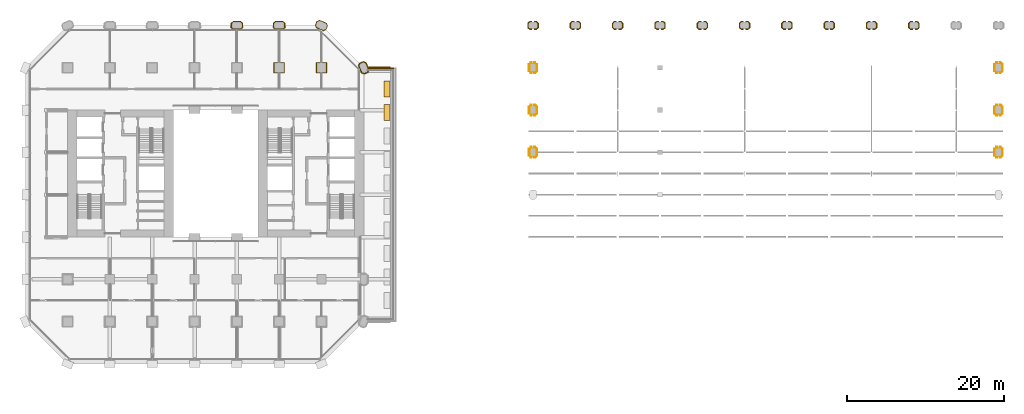
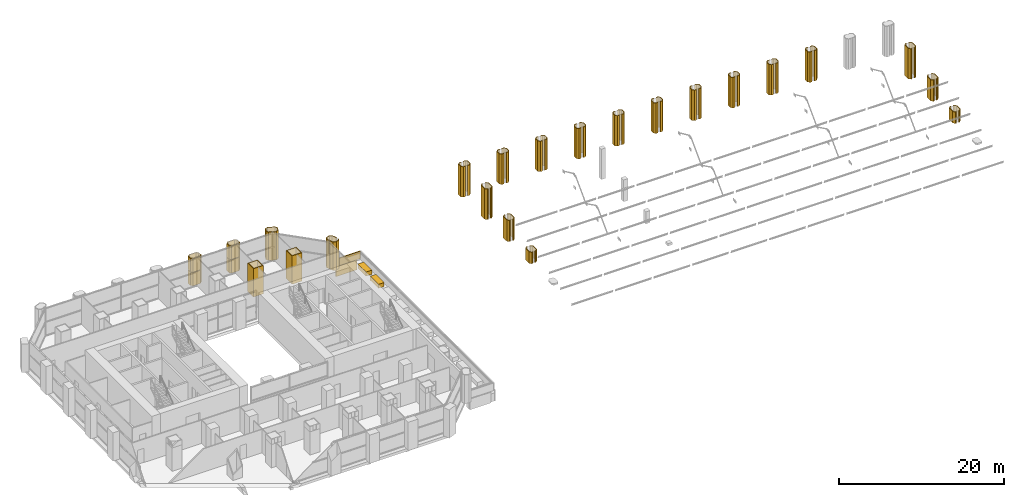
# One storey, part 22 of 23: 44 coverings.
"""IFC4 building model written with IfcOpenShell, lengths in metres."""

from ifc_helpers import new_model, si_unit, direction, frame, frame_2d, origin, origin_2d, place, context, subcontext, project, spatial, polyline, rectangle, outline, extrude, material, layer, layer_set, type_object, element, save


model = new_model("IFC4")

# Units and contexts
model_context = context("Model", 3, precision=1e-05, world=origin(), true_north=direction((0.0, 1.0)))
body_context = subcontext(model_context, "Body", "Model", "MODEL_VIEW")
ifc_project = project(units=[si_unit("LENGTHUNIT", "METRE"), si_unit("AREAUNIT", "SQUARE_METRE"), si_unit("VOLUMEUNIT", "CUBIC_METRE"), si_unit("PLANEANGLEUNIT", "RADIAN"), si_unit("MASSUNIT", "GRAM", prefix="KILO")], contexts=[model_context])

# Site, building, storey
site_placement = place(None, origin())
site = spatial("IfcSite", under=ifc_project, at=site_placement, CompositionType="ELEMENT")
building_placement = place(site_placement, origin())
building = spatial("IfcBuilding", under=site, at=building_placement, Name="Tabaq Tower and Sports Hall", CompositionType="ELEMENT")
storey_placement = place(building_placement, frame((0.0, 0.0, 29.10009765625)))
storey = spatial("IfcBuildingStorey", under=building, at=storey_placement, Name="L05", CompositionType="ELEMENT", Elevation=29.10009765625)

# Coverings
ifc_material_1 = material(Name="Precast concrete C60/75", Category="concrete")
ifc_layer_1 = layer(ifc_material_1, 0.10009765625)
ifc_layer_set_1 = layer_set([ifc_layer_1], Name="Column cladding 100")
covering_type_1 = type_object("IfcCoveringType", Name="Column cladding 100", PredefinedType="CLADDING", material=ifc_layer_set_1)
covering_1_placement = place(storey_placement, origin())
element("IfcCovering", 1, at=covering_1_placement, inside=storey, type_object=covering_type_1, Name="Column cladding L05 HC-13F", PredefinedType="CLADDING", context=body_context, shape_type="SweptSolid", body=[
    extrude(outline(polyline([(64.952880859375, 26.30029296875), (64.952880859375, 26.399658203125), (65.050048828125, 26.399658203125), (65.250244140625, 26.599853515625), (65.250244140625, 27.400146484375), (65.050048828125, 27.600341796875), (64.952880859375, 27.600341796875), (64.952880859375, 27.69970703125), (65.09130859375, 27.69970703125), (65.349609375, 27.44140625), (65.349609375, 26.55859375), (65.09130859375, 26.30029296875), (64.952880859375, 26.30029296875)])), origin(), (0.0, 0.0, 1.0), 1.69580078125),
])
covering_2_placement = place(storey_placement, origin())
element("IfcCovering", 2, at=covering_2_placement, inside=storey, type_object=covering_type_1, Name="Column cladding L05 HC-13F 2", PredefinedType="CLADDING", context=body_context, shape_type="SweptSolid", body=[
    extrude(outline(polyline([(64.5087890625, 26.30029296875), (64.250244140625, 26.55859375), (64.250244140625, 27.44140625), (64.5087890625, 27.69970703125), (64.64697265625, 27.69970703125), (64.64697265625, 27.600341796875), (64.5498046875, 27.600341796875), (64.349609375, 27.400146484375), (64.349609375, 26.599853515625), (64.5498046875, 26.399658203125), (64.64697265625, 26.399658203125), (64.64697265625, 26.30029296875), (64.5087890625, 26.30029296875)])), origin(), (0.0, 0.0, 1.0), 1.69580078125),
])
covering_3_placement = place(storey_placement, origin())
element("IfcCovering", 3, at=covering_3_placement, inside=storey, type_object=covering_type_1, Name="Column cladding L05 HC-13G", PredefinedType="CLADDING", context=body_context, shape_type="SweptSolid", body=[
    extrude(outline(polyline([(64.5087890625, 31.7001953125), (64.250244140625, 31.958740234375), (64.250244140625, 32.84130859375), (64.5087890625, 33.099609375), (64.64697265625, 33.099609375), (64.64697265625, 33.000244140625), (64.5498046875, 33.000244140625), (64.349609375, 32.800048828125), (64.349609375, 31.999755859375), (64.5498046875, 31.7998046875), (64.64697265625, 31.7998046875), (64.64697265625, 31.7001953125), (64.5087890625, 31.7001953125)])), origin(), (0.0, 0.0, 1.0), 3.142822265625),
])
covering_4_placement = place(storey_placement, origin())
element("IfcCovering", 4, at=covering_4_placement, inside=storey, type_object=covering_type_1, Name="Column cladding L05 HC-13G 2", PredefinedType="CLADDING", context=body_context, shape_type="SweptSolid", body=[
    extrude(outline(polyline([(64.952880859375, 31.7001953125), (64.952880859375, 31.7998046875), (65.050048828125, 31.7998046875), (65.250244140625, 31.999755859375), (65.250244140625, 32.800048828125), (65.050048828125, 33.000244140625), (64.952880859375, 33.000244140625), (64.952880859375, 33.099609375), (65.09130859375, 33.099609375), (65.349609375, 32.84130859375), (65.349609375, 31.958740234375), (65.09130859375, 31.7001953125), (64.952880859375, 31.7001953125)])), origin(), (0.0, 0.0, 1.0), 3.142822265625),
])
covering_5_placement = place(storey_placement, origin())
element("IfcCovering", 5, at=covering_5_placement, inside=storey, type_object=covering_type_1, Name="Column cladding L05 HC-13H", PredefinedType="CLADDING", context=body_context, shape_type="SweptSolid", body=[
    extrude(outline(polyline([(64.5087890625, 37.100341796875), (64.250244140625, 37.358642578125), (64.250244140625, 38.2412109375), (64.5087890625, 38.499755859375), (64.64697265625, 38.499755859375), (64.64697265625, 38.400390625), (64.5498046875, 38.400390625), (64.349609375, 38.2001953125), (64.349609375, 37.39990234375), (64.5498046875, 37.19970703125), (64.64697265625, 37.19970703125), (64.64697265625, 37.100341796875), (64.5087890625, 37.100341796875)])), origin(), (0.0, 0.0, 1.0), 4.5),
])
covering_6_placement = place(storey_placement, origin())
element("IfcCovering", 6, at=covering_6_placement, inside=storey, type_object=covering_type_1, Name="Column cladding L05 HC-13H 2", PredefinedType="CLADDING", context=body_context, shape_type="SweptSolid", body=[
    extrude(outline(polyline([(64.952880859375, 37.100341796875), (64.952880859375, 37.19970703125), (65.050048828125, 37.19970703125), (65.250244140625, 37.39990234375), (65.250244140625, 38.2001953125), (65.050048828125, 38.400390625), (64.952880859375, 38.400390625), (64.952880859375, 38.499755859375), (65.09130859375, 38.499755859375), (65.349609375, 38.2412109375), (65.349609375, 37.358642578125), (65.09130859375, 37.100341796875), (64.952880859375, 37.100341796875)])), origin(), (0.0, 0.0, 1.0), 4.5),
])
covering_7_placement = place(storey_placement, origin())
element("IfcCovering", 7, at=covering_7_placement, inside=storey, type_object=covering_type_1, Name="Column cladding L05 HC-13I", PredefinedType="CLADDING", context=body_context, shape_type="SweptSolid", body=[
    extrude(outline(polyline([(65.2412109375, 43.749755859375), (65.499755859375, 43.4912109375), (65.499755859375, 42.90869140625), (65.2412109375, 42.650390625), (64.952880859375, 42.650390625), (64.952880859375, 42.749755859375), (65.2001953125, 42.749755859375), (65.400390625, 42.949951171875), (65.400390625, 43.4501953125), (65.2001953125, 43.650390625), (64.952880859375, 43.650390625), (64.952880859375, 43.749755859375), (65.2412109375, 43.749755859375)])), origin(), (0.0, 0.0, 1.0), 4.5),
])
covering_8_placement = place(storey_placement, origin())
element("IfcCovering", 8, at=covering_8_placement, inside=storey, type_object=covering_type_1, Name="Column cladding L05 HC-13I 2", PredefinedType="CLADDING", context=body_context, shape_type="SweptSolid", body=[
    extrude(outline(polyline([(64.100341796875, 43.4912109375), (64.358642578125, 43.749755859375), (64.64697265625, 43.749755859375), (64.64697265625, 43.650390625), (64.39990234375, 43.650390625), (64.19970703125, 43.4501953125), (64.19970703125, 42.949951171875), (64.39990234375, 42.749755859375), (64.64697265625, 42.749755859375), (64.64697265625, 42.650390625), (64.358642578125, 42.650390625), (64.100341796875, 42.90869140625), (64.100341796875, 43.4912109375)])), origin(), (0.0, 0.0, 1.0), 4.5),
])
covering_9_placement = place(storey_placement, origin())
element("IfcCovering", 9, at=covering_9_placement, inside=storey, type_object=covering_type_1, Name="Column cladding L05 HC-14I", PredefinedType="CLADDING", context=body_context, shape_type="SweptSolid", body=[
    extrude(outline(polyline([(70.641357421875, 43.749755859375), (70.899658203125, 43.4912109375), (70.899658203125, 42.90869140625), (70.641357421875, 42.650390625), (70.35302734375, 42.650390625), (70.35302734375, 42.749755859375), (70.60009765625, 42.749755859375), (70.80029296875, 42.949951171875), (70.80029296875, 43.4501953125), (70.60009765625, 43.650390625), (70.35302734375, 43.650390625), (70.35302734375, 43.749755859375), (70.641357421875, 43.749755859375)])), origin(), (0.0, 0.0, 1.0), 4.5),
])
covering_10_placement = place(storey_placement, origin())
element("IfcCovering", 10, at=covering_10_placement, inside=storey, type_object=covering_type_1, Name="Column cladding L05 HC-14I 2", PredefinedType="CLADDING", context=body_context, shape_type="SweptSolid", body=[
    extrude(outline(polyline([(69.500244140625, 43.4912109375), (69.7587890625, 43.749755859375), (70.047119140625, 43.749755859375), (70.047119140625, 43.650390625), (69.7998046875, 43.650390625), (69.599609375, 43.4501953125), (69.599609375, 42.949951171875), (69.7998046875, 42.749755859375), (70.047119140625, 42.749755859375), (70.047119140625, 42.650390625), (69.7587890625, 42.650390625), (69.500244140625, 42.90869140625), (69.500244140625, 43.4912109375)])), origin(), (0.0, 0.0, 1.0), 4.5),
])
covering_11_placement = place(storey_placement, origin())
element("IfcCovering", 11, at=covering_11_placement, inside=storey, type_object=covering_type_1, Name="Column cladding L05 HC-15I", PredefinedType="CLADDING", context=body_context, shape_type="SweptSolid", body=[
    extrude(outline(polyline([(76.041259765625, 43.749755859375), (76.2998046875, 43.4912109375), (76.2998046875, 42.90869140625), (76.041259765625, 42.650390625), (75.7529296875, 42.650390625), (75.7529296875, 42.749755859375), (76.000244140625, 42.749755859375), (76.2001953125, 42.949951171875), (76.2001953125, 43.4501953125), (76.000244140625, 43.650390625), (75.7529296875, 43.650390625), (75.7529296875, 43.749755859375), (76.041259765625, 43.749755859375)])), origin(), (0.0, 0.0, 1.0), 4.5),
])
covering_12_placement = place(storey_placement, origin())
element("IfcCovering", 12, at=covering_12_placement, inside=storey, type_object=covering_type_1, Name="Column cladding L05 HC-15I 2", PredefinedType="CLADDING", context=body_context, shape_type="SweptSolid", body=[
    extrude(outline(polyline([(74.900390625, 43.4912109375), (75.15869140625, 43.749755859375), (75.447021484375, 43.749755859375), (75.447021484375, 43.650390625), (75.199951171875, 43.650390625), (74.999755859375, 43.4501953125), (74.999755859375, 42.949951171875), (75.199951171875, 42.749755859375), (75.447021484375, 42.749755859375), (75.447021484375, 42.650390625), (75.15869140625, 42.650390625), (74.900390625, 42.90869140625), (74.900390625, 43.4912109375)])), origin(), (0.0, 0.0, 1.0), 4.5),
])
covering_13_placement = place(storey_placement, origin())
element("IfcCovering", 13, at=covering_13_placement, inside=storey, type_object=covering_type_1, Name="Column cladding L05 HC-16I", PredefinedType="CLADDING", context=body_context, shape_type="SweptSolid", body=[
    extrude(outline(polyline([(81.44140625, 43.749755859375), (81.69970703125, 43.4912109375), (81.69970703125, 42.90869140625), (81.44140625, 42.650390625), (81.153076171875, 42.650390625), (81.153076171875, 42.749755859375), (81.400146484375, 42.749755859375), (81.600341796875, 42.949951171875), (81.600341796875, 43.4501953125), (81.400146484375, 43.650390625), (81.153076171875, 43.650390625), (81.153076171875, 43.749755859375), (81.44140625, 43.749755859375)])), origin(), (0.0, 0.0, 1.0), 4.5),
])
covering_14_placement = place(storey_placement, origin())
element("IfcCovering", 14, at=covering_14_placement, inside=storey, type_object=covering_type_1, Name="Column cladding L05 HC-16I 2", PredefinedType="CLADDING", context=body_context, shape_type="SweptSolid", body=[
    extrude(outline(polyline([(80.30029296875, 43.4912109375), (80.55859375, 43.749755859375), (80.846923828125, 43.749755859375), (80.846923828125, 43.650390625), (80.599853515625, 43.650390625), (80.399658203125, 43.4501953125), (80.399658203125, 42.949951171875), (80.599853515625, 42.749755859375), (80.846923828125, 42.749755859375), (80.846923828125, 42.650390625), (80.55859375, 42.650390625), (80.30029296875, 42.90869140625), (80.30029296875, 43.4912109375)])), origin(), (0.0, 0.0, 1.0), 4.5),
])
covering_15_placement = place(storey_placement, origin())
element("IfcCovering", 15, at=covering_15_placement, inside=storey, type_object=covering_type_1, Name="Column cladding L05 HC-17I", PredefinedType="CLADDING", context=body_context, shape_type="SweptSolid", body=[
    extrude(outline(polyline([(86.84130859375, 43.749755859375), (87.099609375, 43.4912109375), (87.099609375, 42.90869140625), (86.84130859375, 42.650390625), (86.552978515625, 42.650390625), (86.552978515625, 42.749755859375), (86.800048828125, 42.749755859375), (87.000244140625, 42.949951171875), (87.000244140625, 43.4501953125), (86.800048828125, 43.650390625), (86.552978515625, 43.650390625), (86.552978515625, 43.749755859375), (86.84130859375, 43.749755859375)])), origin(), (0.0, 0.0, 1.0), 4.5),
])
covering_16_placement = place(storey_placement, origin())
element("IfcCovering", 16, at=covering_16_placement, inside=storey, type_object=covering_type_1, Name="Column cladding L05 HC-17I 2", PredefinedType="CLADDING", context=body_context, shape_type="SweptSolid", body=[
    extrude(outline(polyline([(85.7001953125, 43.4912109375), (85.958740234375, 43.749755859375), (86.2470703125, 43.749755859375), (86.2470703125, 43.650390625), (85.999755859375, 43.650390625), (85.7998046875, 43.4501953125), (85.7998046875, 42.949951171875), (85.999755859375, 42.749755859375), (86.2470703125, 42.749755859375), (86.2470703125, 42.650390625), (85.958740234375, 42.650390625), (85.7001953125, 42.90869140625), (85.7001953125, 43.4912109375)])), origin(), (0.0, 0.0, 1.0), 4.5),
])
covering_17_placement = place(storey_placement, origin())
element("IfcCovering", 17, at=covering_17_placement, inside=storey, type_object=covering_type_1, Name="Column cladding L05 HC-18I", PredefinedType="CLADDING", context=body_context, shape_type="SweptSolid", body=[
    extrude(outline(polyline([(92.2412109375, 43.749755859375), (92.499755859375, 43.4912109375), (92.499755859375, 42.90869140625), (92.2412109375, 42.650390625), (91.952880859375, 42.650390625), (91.952880859375, 42.749755859375), (92.2001953125, 42.749755859375), (92.400390625, 42.949951171875), (92.400390625, 43.4501953125), (92.2001953125, 43.650390625), (91.952880859375, 43.650390625), (91.952880859375, 43.749755859375), (92.2412109375, 43.749755859375)])), origin(), (0.0, 0.0, 1.0), 4.5),
])
covering_18_placement = place(storey_placement, origin())
element("IfcCovering", 18, at=covering_18_placement, inside=storey, type_object=covering_type_1, Name="Column cladding L05 HC-18I 2", PredefinedType="CLADDING", context=body_context, shape_type="SweptSolid", body=[
    extrude(outline(polyline([(91.100341796875, 43.4912109375), (91.358642578125, 43.749755859375), (91.64697265625, 43.749755859375), (91.64697265625, 43.650390625), (91.39990234375, 43.650390625), (91.19970703125, 43.4501953125), (91.19970703125, 42.949951171875), (91.39990234375, 42.749755859375), (91.64697265625, 42.749755859375), (91.64697265625, 42.650390625), (91.358642578125, 42.650390625), (91.100341796875, 42.90869140625), (91.100341796875, 43.4912109375)])), origin(), (0.0, 0.0, 1.0), 4.5),
])
covering_19_placement = place(storey_placement, origin())
element("IfcCovering", 19, at=covering_19_placement, inside=storey, type_object=covering_type_1, Name="Column cladding L05 HC-19I", PredefinedType="CLADDING", context=body_context, shape_type="SweptSolid", body=[
    extrude(outline(polyline([(97.641357421875, 43.749755859375), (97.899658203125, 43.4912109375), (97.899658203125, 42.90869140625), (97.641357421875, 42.650390625), (97.35302734375, 42.650390625), (97.35302734375, 42.749755859375), (97.60009765625, 42.749755859375), (97.80029296875, 42.949951171875), (97.80029296875, 43.4501953125), (97.60009765625, 43.650390625), (97.35302734375, 43.650390625), (97.35302734375, 43.749755859375), (97.641357421875, 43.749755859375)])), origin(), (0.0, 0.0, 1.0), 4.5),
])
covering_20_placement = place(storey_placement, origin())
element("IfcCovering", 20, at=covering_20_placement, inside=storey, type_object=covering_type_1, Name="Column cladding L05 HC-19I 2", PredefinedType="CLADDING", context=body_context, shape_type="SweptSolid", body=[
    extrude(outline(polyline([(96.500244140625, 43.4912109375), (96.7587890625, 43.749755859375), (97.047119140625, 43.749755859375), (97.047119140625, 43.650390625), (96.7998046875, 43.650390625), (96.599609375, 43.4501953125), (96.599609375, 42.949951171875), (96.7998046875, 42.749755859375), (97.047119140625, 42.749755859375), (97.047119140625, 42.650390625), (96.7587890625, 42.650390625), (96.500244140625, 42.90869140625), (96.500244140625, 43.4912109375)])), origin(), (0.0, 0.0, 1.0), 4.5),
])
covering_21_placement = place(storey_placement, origin())
element("IfcCovering", 21, at=covering_21_placement, inside=storey, type_object=covering_type_1, Name="Column cladding L05 HC-20I", PredefinedType="CLADDING", context=body_context, shape_type="SweptSolid", body=[
    extrude(outline(polyline([(103.041259765625, 43.749755859375), (103.2998046875, 43.4912109375), (103.2998046875, 42.90869140625), (103.041259765625, 42.650390625), (102.7529296875, 42.650390625), (102.7529296875, 42.749755859375), (103.000244140625, 42.749755859375), (103.2001953125, 42.949951171875), (103.2001953125, 43.4501953125), (103.000244140625, 43.650390625), (102.7529296875, 43.650390625), (102.7529296875, 43.749755859375), (103.041259765625, 43.749755859375)])), origin(), (0.0, 0.0, 1.0), 4.5),
])
covering_22_placement = place(storey_placement, origin())
element("IfcCovering", 22, at=covering_22_placement, inside=storey, type_object=covering_type_1, Name="Column cladding L05 HC-20I 2", PredefinedType="CLADDING", context=body_context, shape_type="SweptSolid", body=[
    extrude(outline(polyline([(101.900390625, 43.4912109375), (102.15869140625, 43.749755859375), (102.447021484375, 43.749755859375), (102.447021484375, 43.650390625), (102.199951171875, 43.650390625), (101.999755859375, 43.4501953125), (101.999755859375, 42.949951171875), (102.199951171875, 42.749755859375), (102.447021484375, 42.749755859375), (102.447021484375, 42.650390625), (102.15869140625, 42.650390625), (101.900390625, 42.90869140625), (101.900390625, 43.4912109375)])), origin(), (0.0, 0.0, 1.0), 4.5),
])
covering_23_placement = place(storey_placement, origin())
element("IfcCovering", 23, at=covering_23_placement, inside=storey, type_object=covering_type_1, Name="Column cladding L05 HC-21I", PredefinedType="CLADDING", context=body_context, shape_type="SweptSolid", body=[
    extrude(outline(polyline([(108.44140625, 43.749755859375), (108.69970703125, 43.4912109375), (108.69970703125, 42.90869140625), (108.44140625, 42.650390625), (108.153076171875, 42.650390625), (108.153076171875, 42.749755859375), (108.400146484375, 42.749755859375), (108.600341796875, 42.949951171875), (108.600341796875, 43.4501953125), (108.400146484375, 43.650390625), (108.153076171875, 43.650390625), (108.153076171875, 43.749755859375), (108.44140625, 43.749755859375)])), origin(), (0.0, 0.0, 1.0), 4.5),
])
covering_24_placement = place(storey_placement, origin())
element("IfcCovering", 24, at=covering_24_placement, inside=storey, type_object=covering_type_1, Name="Column cladding L05 HC-21I 2", PredefinedType="CLADDING", context=body_context, shape_type="SweptSolid", body=[
    extrude(outline(polyline([(107.30029296875, 43.4912109375), (107.55859375, 43.749755859375), (107.846923828125, 43.749755859375), (107.846923828125, 43.650390625), (107.599853515625, 43.650390625), (107.399658203125, 43.4501953125), (107.399658203125, 42.949951171875), (107.599853515625, 42.749755859375), (107.846923828125, 42.749755859375), (107.846923828125, 42.650390625), (107.55859375, 42.650390625), (107.30029296875, 42.90869140625), (107.30029296875, 43.4912109375)])), origin(), (0.0, 0.0, 1.0), 4.5),
])
covering_25_placement = place(storey_placement, origin())
element("IfcCovering", 25, at=covering_25_placement, inside=storey, type_object=covering_type_1, Name="Column cladding L05 HC-22I", PredefinedType="CLADDING", context=body_context, shape_type="SweptSolid", body=[
    extrude(outline(polyline([(113.84130859375, 43.749755859375), (114.099609375, 43.4912109375), (114.099609375, 42.90869140625), (113.84130859375, 42.650390625), (113.552978515625, 42.650390625), (113.552978515625, 42.749755859375), (113.800048828125, 42.749755859375), (114.000244140625, 42.949951171875), (114.000244140625, 43.4501953125), (113.800048828125, 43.650390625), (113.552978515625, 43.650390625), (113.552978515625, 43.749755859375), (113.84130859375, 43.749755859375)])), origin(), (0.0, 0.0, 1.0), 4.5),
])
covering_26_placement = place(storey_placement, origin())
element("IfcCovering", 26, at=covering_26_placement, inside=storey, type_object=covering_type_1, Name="Column cladding L05 HC-22I 2", PredefinedType="CLADDING", context=body_context, shape_type="SweptSolid", body=[
    extrude(outline(polyline([(112.7001953125, 43.4912109375), (112.958740234375, 43.749755859375), (113.2470703125, 43.749755859375), (113.2470703125, 43.650390625), (112.999755859375, 43.650390625), (112.7998046875, 43.4501953125), (112.7998046875, 42.949951171875), (112.999755859375, 42.749755859375), (113.2470703125, 42.749755859375), (113.2470703125, 42.650390625), (112.958740234375, 42.650390625), (112.7001953125, 42.90869140625), (112.7001953125, 43.4912109375)])), origin(), (0.0, 0.0, 1.0), 4.5),
])
covering_27_placement = place(storey_placement, origin())
element("IfcCovering", 27, at=covering_27_placement, inside=storey, type_object=covering_type_1, Name="Column cladding L05 HC-24F", PredefinedType="CLADDING", context=body_context, shape_type="SweptSolid", body=[
    extrude(outline(polyline([(124.35302734375, 26.30029296875), (124.35302734375, 26.399658203125), (124.4501953125, 26.399658203125), (124.650390625, 26.599853515625), (124.650390625, 27.400146484375), (124.4501953125, 27.600341796875), (124.35302734375, 27.600341796875), (124.35302734375, 27.69970703125), (124.4912109375, 27.69970703125), (124.749755859375, 27.44140625), (124.749755859375, 26.55859375), (124.4912109375, 26.30029296875), (124.35302734375, 26.30029296875)])), origin(), (0.0, 0.0, 1.0), 1.69580078125),
])
covering_28_placement = place(storey_placement, origin())
element("IfcCovering", 28, at=covering_28_placement, inside=storey, type_object=covering_type_1, Name="Column cladding L05 HC-24F 2", PredefinedType="CLADDING", context=body_context, shape_type="SweptSolid", body=[
    extrude(outline(polyline([(123.90869140625, 26.30029296875), (123.650390625, 26.55859375), (123.650390625, 27.44140625), (123.90869140625, 27.69970703125), (124.047119140625, 27.69970703125), (124.047119140625, 27.600341796875), (123.949951171875, 27.600341796875), (123.749755859375, 27.400146484375), (123.749755859375, 26.599853515625), (123.949951171875, 26.399658203125), (124.047119140625, 26.399658203125), (124.047119140625, 26.30029296875), (123.90869140625, 26.30029296875)])), origin(), (0.0, 0.0, 1.0), 1.69580078125),
])
covering_29_placement = place(storey_placement, origin())
element("IfcCovering", 29, at=covering_29_placement, inside=storey, type_object=covering_type_1, Name="Column cladding L05 HC-24G", PredefinedType="CLADDING", context=body_context, shape_type="SweptSolid", body=[
    extrude(outline(polyline([(124.35302734375, 31.7001953125), (124.35302734375, 31.7998046875), (124.4501953125, 31.7998046875), (124.650390625, 31.999755859375), (124.650390625, 32.800048828125), (124.4501953125, 33.000244140625), (124.35302734375, 33.000244140625), (124.35302734375, 33.099609375), (124.4912109375, 33.099609375), (124.749755859375, 32.84130859375), (124.749755859375, 31.958740234375), (124.4912109375, 31.7001953125), (124.35302734375, 31.7001953125)])), origin(), (0.0, 0.0, 1.0), 3.142822265625),
])
covering_30_placement = place(storey_placement, origin())
element("IfcCovering", 30, at=covering_30_placement, inside=storey, type_object=covering_type_1, Name="Column cladding L05 HC-24G 2", PredefinedType="CLADDING", context=body_context, shape_type="SweptSolid", body=[
    extrude(outline(polyline([(123.90869140625, 31.7001953125), (123.650390625, 31.958740234375), (123.650390625, 32.84130859375), (123.90869140625, 33.099609375), (124.047119140625, 33.099609375), (124.047119140625, 33.000244140625), (123.949951171875, 33.000244140625), (123.749755859375, 32.800048828125), (123.749755859375, 31.999755859375), (123.949951171875, 31.7998046875), (124.047119140625, 31.7998046875), (124.047119140625, 31.7001953125), (123.90869140625, 31.7001953125)])), origin(), (0.0, 0.0, 1.0), 3.142822265625),
])
covering_31_placement = place(storey_placement, origin())
element("IfcCovering", 31, at=covering_31_placement, inside=storey, type_object=covering_type_1, Name="Column cladding L05 HC-24H", PredefinedType="CLADDING", context=body_context, shape_type="SweptSolid", body=[
    extrude(outline(polyline([(124.35302734375, 37.100341796875), (124.35302734375, 37.19970703125), (124.4501953125, 37.19970703125), (124.650390625, 37.39990234375), (124.650390625, 38.2001953125), (124.4501953125, 38.400390625), (124.35302734375, 38.400390625), (124.35302734375, 38.499755859375), (124.4912109375, 38.499755859375), (124.749755859375, 38.2412109375), (124.749755859375, 37.358642578125), (124.4912109375, 37.100341796875), (124.35302734375, 37.100341796875)])), origin(), (0.0, 0.0, 1.0), 4.5),
])
covering_32_placement = place(storey_placement, origin())
element("IfcCovering", 32, at=covering_32_placement, inside=storey, type_object=covering_type_1, Name="Column cladding L05 HC-24H 2", PredefinedType="CLADDING", context=body_context, shape_type="SweptSolid", body=[
    extrude(outline(polyline([(123.90869140625, 37.100341796875), (123.650390625, 37.358642578125), (123.650390625, 38.2412109375), (123.90869140625, 38.499755859375), (124.047119140625, 38.499755859375), (124.047119140625, 38.400390625), (123.949951171875, 38.400390625), (123.749755859375, 38.2001953125), (123.749755859375, 37.39990234375), (123.949951171875, 37.19970703125), (124.047119140625, 37.19970703125), (124.047119140625, 37.100341796875), (123.90869140625, 37.100341796875)])), origin(), (0.0, 0.0, 1.0), 4.5),
])
for number, where, name in (
    (33, (0.0, 0.0, 0.102294921875), "Column cladding L05 PC-6I-P"),
    (34, (0.0, 0.0, 2.13232421875), "Column cladding L05 PC-6I-P 2"),
):
    element("IfcCovering", number, at=place(storey_placement, frame(where)), inside=storey, type_object=covering_type_1, Name=name, PredefinedType="CLADDING", context=body_context, shape_type="SweptSolid", body=[
        extrude(outline(polyline([(26.225341796875, 43.46630859375), (26.5087890625, 43.749755859375), (27.4912109375, 43.749755859375), (27.774658203125, 43.46630859375), (27.774658203125, 42.93359375), (27.53125, 42.690185546875), (26.46875, 42.690185546875), (26.225341796875, 42.93359375), (26.225341796875, 43.46630859375)]), holes=[polyline([(27.67529296875, 42.974853515625), (27.67529296875, 43.425048828125), (27.4501953125, 43.650390625), (26.5498046875, 43.650390625), (26.32470703125, 43.425048828125), (26.32470703125, 42.974853515625), (26.5498046875, 42.749755859375), (27.4501953125, 42.749755859375), (27.67529296875, 42.974853515625)])]), origin(), (0.0, 0.0, 1.0), 1.965087890625),
    ])
covering_33_placement = place(storey_placement, origin())
element("IfcCovering", 35, at=covering_33_placement, inside=storey, type_object=covering_type_1, Name="Column cladding L05 CC-7H-P", PredefinedType="CLADDING", context=body_context, shape_type="SweptSolid", body=[
    extrude(outline(polyline([(31.7001953125, 38.499755859375), (33.099609375, 38.499755859375), (33.099609375, 37.100341796875), (31.7001953125, 37.100341796875), (31.7001953125, 38.499755859375)]), holes=[polyline([(33.000244140625, 37.19970703125), (33.000244140625, 38.400390625), (31.7998046875, 38.400390625), (31.7998046875, 37.19970703125), (33.000244140625, 37.19970703125)])]), origin(), (0.0, 0.0, 1.0), 4.199951171875),
])
for number, where, name in (
    (36, (0.0, 0.0, 0.102294921875), "Column cladding L05 PC-7I-P"),
    (37, (0.0, 0.0, 2.13232421875), "Column cladding L05 PC-7I-P 2"),
):
    element("IfcCovering", number, at=place(storey_placement, frame(where)), inside=storey, type_object=covering_type_1, Name=name, PredefinedType="CLADDING", context=body_context, shape_type="SweptSolid", body=[
        extrude(outline(polyline([(31.625244140625, 43.46630859375), (31.90869140625, 43.749755859375), (32.891357421875, 43.749755859375), (33.1748046875, 43.46630859375), (33.1748046875, 42.93359375), (32.931396484375, 42.690185546875), (31.86865234375, 42.690185546875), (31.625244140625, 42.93359375), (31.625244140625, 43.46630859375)]), holes=[polyline([(33.0751953125, 42.974853515625), (33.0751953125, 43.425048828125), (32.85009765625, 43.650390625), (31.949951171875, 43.650390625), (31.724609375, 43.425048828125), (31.724609375, 42.974853515625), (31.949951171875, 42.749755859375), (32.85009765625, 42.749755859375), (33.0751953125, 42.974853515625)])]), origin(), (0.0, 0.0, 1.0), 1.965087890625),
    ])
covering_34_placement = place(storey_placement, origin())
element("IfcCovering", 38, at=covering_34_placement, inside=storey, type_object=covering_type_1, Name="Column cladding L05 CC-8H-P", PredefinedType="CLADDING", context=body_context, shape_type="SweptSolid", body=[
    extrude(outline(polyline([(37.100341796875, 38.499755859375), (38.499755859375, 38.499755859375), (38.499755859375, 37.100341796875), (37.100341796875, 37.100341796875), (37.100341796875, 38.499755859375)]), holes=[polyline([(38.400390625, 37.19970703125), (38.400390625, 38.400390625), (37.19970703125, 38.400390625), (37.19970703125, 37.19970703125), (38.400390625, 37.19970703125)])]), origin(), (0.0, 0.0, 1.0), 4.199951171875),
])
covering_35_placement = place(storey_placement, origin())
element("IfcCovering", 39, at=covering_35_placement, inside=storey, type_object=covering_type_1, Name="Column cladding L05 PC-8I-P", PredefinedType="CLADDING", context=body_context, shape_type="SweptSolid", body=[
    extrude(outline(polyline([(38.413818359375, 42.657470703125), (38.04345703125, 42.504150390625), (37.614013671875, 42.68212890625), (37.614013671875, 42.690185546875), (37.593994140625, 42.690185546875), (37.1357421875, 42.880126953125), (36.982421875, 43.25048828125), (37.186279296875, 43.742431640625), (37.556396484375, 43.895751953125), (38.46435546875, 43.519775390625), (38.61767578125, 43.149658203125), (38.413818359375, 42.657470703125)]), holes=[polyline([(37.26220703125, 43.66650390625), (37.08984375, 43.25048828125), (37.2119140625, 42.956298828125), (38.04345703125, 42.61181640625), (38.337646484375, 42.733642578125), (38.510009765625, 43.149658203125), (38.38818359375, 43.44384765625), (37.556396484375, 43.788330078125), (37.26220703125, 43.66650390625)])]), origin(), (0.0, 0.0, 1.0), 4.199951171875),
])
covering_36_placement = place(storey_placement, origin())
element("IfcCovering", 40, at=covering_36_placement, inside=storey, type_object=covering_type_1, Name="Column cladding L05 PC-9H-P", PredefinedType="CLADDING", context=body_context, shape_type="SweptSolid", body=[
    extrude(outline(polyline([(43.25048828125, 36.982421875), (42.880126953125, 37.1357421875), (42.690185546875, 37.593994140625), (42.690185546875, 37.614013671875), (42.68212890625, 37.614013671875), (42.504150390625, 38.04345703125), (42.657470703125, 38.413818359375), (43.149658203125, 38.61767578125), (43.519775390625, 38.46435546875), (43.794921875, 37.80029296875), (43.69970703125, 37.80029296875), (43.69970703125, 37.770263671875), (43.44384765625, 38.38818359375), (43.149658203125, 38.510009765625), (42.733642578125, 38.337646484375), (42.61181640625, 38.04345703125), (42.956298828125, 37.2119140625), (43.25048828125, 37.08984375), (43.66650390625, 37.26220703125), (43.7607421875, 37.48974609375), (43.8681640625, 37.48974609375), (43.742431640625, 37.186279296875), (43.25048828125, 36.982421875)])), origin(), (0.0, 0.0, 1.0), 4.199951171875),
])
ifc_material_2 = material(Name="Planting soil and drainage layer")
covering_type_2 = type_object("IfcCoveringType", Name="Planter 2000x800x600", PredefinedType="USERDEFINED", material=ifc_material_2)
for number, where, z_axis, x_axis, name in (
    (41, (46.169921875, 32.10009765625, -0.000244140625), (0.0, 0.0, 1.0), (0.0, 1.0, 0.0), "Planter L05"),
    (42, (46.169921875, 35.10009765625, -0.000244140625), (0.0, 0.0, 1.0), (0.0, 1.0, 0.0), "Planter L05"),
):
    element("IfcCovering", number, at=place(storey_placement, frame(where, z_axis=z_axis, x_axis=x_axis)), inside=storey, type_object=covering_type_2, Name=name, ObjectType="PLANTER", PredefinedType="USERDEFINED", context=body_context, shape_type="SweptSolid", body=[
        extrude(rectangle(XDim=2.0, YDim=0.800048828125, at=origin_2d()), origin(), (0.0, 0.0, 1.0), 0.60009765625),
    ])
ifc_material_3 = material(Name="Precast concrete C60/75", Category="concrete")
ifc_layer_2 = layer(ifc_material_3, 0.14990234375)
ifc_layer_set_2 = layer_set([ifc_layer_2], Name="Tray fascia 1200")
covering_type_3 = type_object("IfcCoveringType", Name="Tray fascia 1200", PredefinedType="CLADDING", material=ifc_layer_set_2)
covering_37_placement = place(storey_placement, frame((43.69677734375, 37.875, -1.60009765625), z_axis=(0.0, 0.0, 1.0), x_axis=(1.0, 0.0, 0.0)))
element("IfcCovering", 43, at=covering_37_placement, inside=storey, type_object=covering_type_3, Name="Tray fascia L05 EBT", PredefinedType="CLADDING", context=body_context, shape_type="SweptSolid", body=[
    extrude(rectangle(XDim=2.9033203125, YDim=0.14990234375, at=frame_2d((1.45166015625, 0.0))), origin(), (0.0, 0.0, 1.0), 1.60009765625),
])
ifc_material_4 = material(Name="Precast concrete C60/75", Category="concrete")
ifc_layer_3 = layer(ifc_material_4, 0.14990234375)
ifc_layer_set_3 = layer_set([ifc_layer_3], Name="Tray upstand cladding 1100")
covering_type_4 = type_object("IfcCoveringType", Name="Tray upstand cladding 1100", PredefinedType="CLADDING", material=ifc_layer_set_3)
covering_38_placement = place(storey_placement, frame((43.699951171875, 37.72509765625, 0.0), z_axis=(0.0, 0.0, 1.0), x_axis=(1.0, 0.0, 0.0)))
element("IfcCovering", 44, at=covering_38_placement, inside=storey, type_object=covering_type_4, Name="Tray upstand cladding L05", PredefinedType="CLADDING", context=body_context, shape_type="SweptSolid", body=[
    extrude(rectangle(XDim=3.35009765625, YDim=0.14990234375, at=frame_2d((1.675048828125, 0.0))), origin(), (0.0, 0.0, 1.0), 1.099853515625),
])

save(model, "model.ifc")
